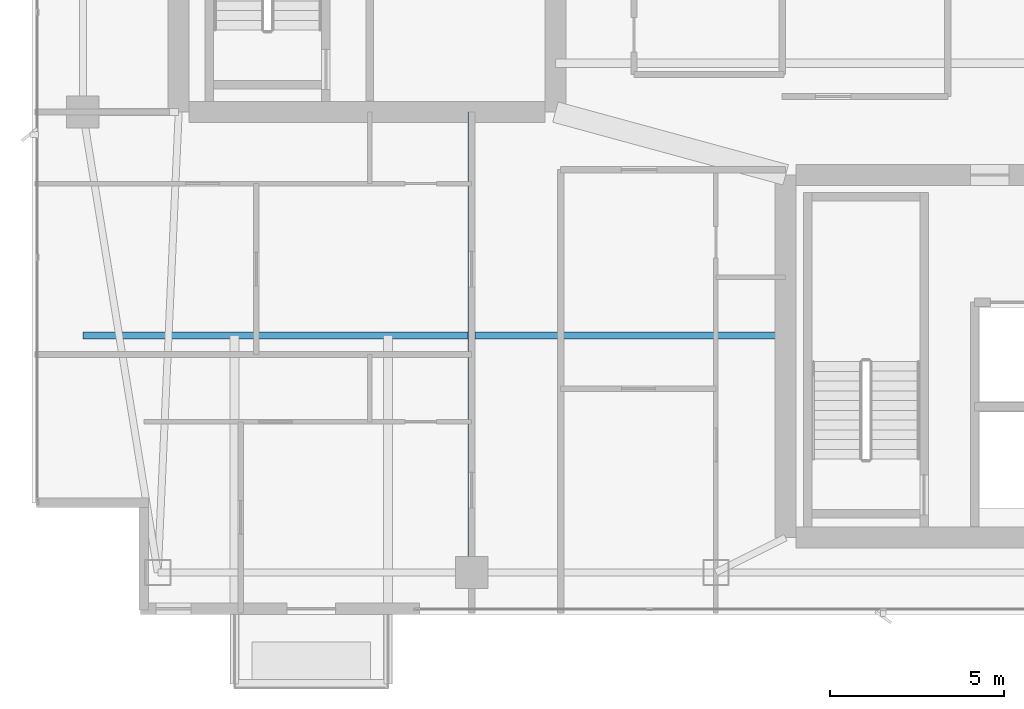
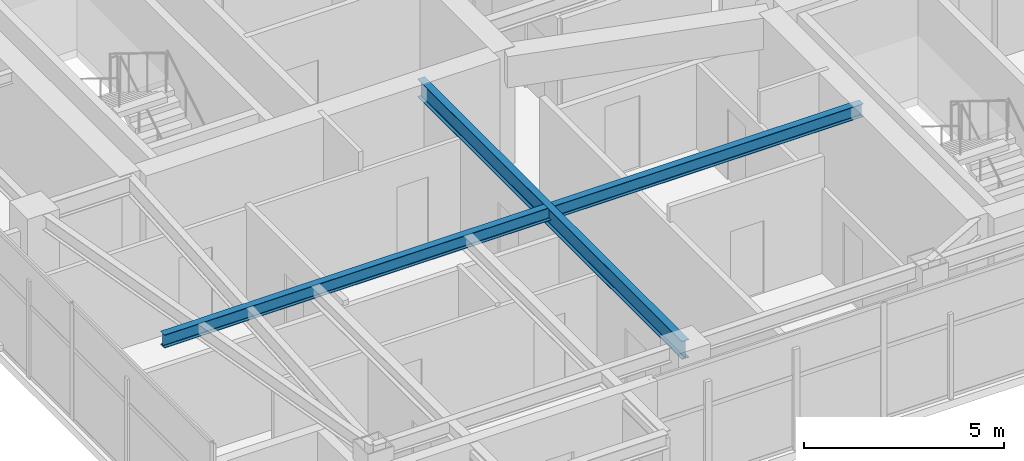
# One storey, part 6 of 27: 2 beams.
"""IFC4 building model written with IfcOpenShell, lengths in metres."""

from ifc_helpers import new_model, si_unit, direction, frame, origin, origin_2d, place, context, subcontext, project, spatial, i_section, extrude, material, material_profile, profile_set, type_object, element, save


model = new_model("IFC4")

# Units and contexts
model_context = context("Model", 3, precision=1e-05, world=origin(), true_north=direction((0.0, 1.0)))
body_context = subcontext(model_context, "Body", "Model", "MODEL_VIEW")
ifc_project = project(units=[si_unit("LENGTHUNIT", "METRE"), si_unit("AREAUNIT", "SQUARE_METRE"), si_unit("VOLUMEUNIT", "CUBIC_METRE"), si_unit("PLANEANGLEUNIT", "RADIAN"), si_unit("MASSUNIT", "GRAM", prefix="KILO")], contexts=[model_context])

# Site, building, storey
site_placement = place(None, origin())
site = spatial("IfcSite", under=ifc_project, at=site_placement, CompositionType="ELEMENT")
building_placement = place(site_placement, origin())
building = spatial("IfcBuilding", under=site, at=building_placement, Name="Calvorn Quay Hotel", CompositionType="ELEMENT")
storey_placement = place(building_placement, frame((0.0, 0.0, 294.89990234375)))
storey = spatial("IfcBuildingStorey", under=building, at=storey_placement, Name="L73", CompositionType="ELEMENT", Elevation=294.89990234375)

# Beams
ifc_material_1 = material(Name="Steel Q355B", Category="steel")
ifc_material_profile_1 = material_profile(ifc_material_1, i_section(OverallWidth=0.199951171875, OverallDepth=0.550048828125, WebThickness=0.010009765625, FlangeThickness=0.01611328125, FilletRadius=0.01806640625, at=origin_2d()), Name="HN550x200x10x16")
ifc_profile_set_1 = profile_set([ifc_material_profile_1], Name="Steel Q355B")
beam_type_1 = type_object("IfcBeamType", Name="BM-GIRD-UPP", PredefinedType="BEAM", material=ifc_profile_set_1)
beam_1_placement = place(storey_placement, frame((12.60009765625, 3.60009765625, 3.26513671875), z_axis=(0.0, 1.0, 0.0), x_axis=(-1.0, 0.0, 0.0)))
element("IfcBeam", 1, at=beam_1_placement, inside=storey, type_object=beam_type_1, Name="Beam BG-L73-S1", PredefinedType="BEAM", context=body_context, shape_type="SweptSolid", body=[
    extrude(i_section(OverallWidth=0.199951171875, OverallDepth=0.550048828125, WebThickness=0.010009765625, FlangeThickness=0.01611328125, FilletRadius=0.01806640625, at=origin_2d()), origin(), (0.0, 0.0, 1.0), 13.199951171875),
])
ifc_material_2 = material(Name="Steel Q355B", Category="steel")
ifc_material_profile_2 = material_profile(ifc_material_2, i_section(OverallWidth=0.199951171875, OverallDepth=0.39990234375, WebThickness=0.008056640625, FlangeThickness=0.012939453125, FilletRadius=0.01611328125, at=origin_2d()), Name="HN400x200x8x13")
ifc_profile_set_2 = profile_set([ifc_material_profile_2], Name="Steel Q355B")
beam_type_2 = type_object("IfcBeamType", Name="BM-JOIST-TYP", PredefinedType="JOIST", material=ifc_profile_set_2)
beam_2_placement = place(storey_placement, frame((1.449951171875, 10.39990234375, 3.340087890625), z_axis=(1.0, 0.0, 0.0), x_axis=(0.0, 1.0, 0.0)))
element("IfcBeam", 2, at=beam_2_placement, inside=storey, type_object=beam_type_2, Name="Beam BJ-L73-W1", PredefinedType="JOIST", context=body_context, shape_type="SweptSolid", body=[
    extrude(i_section(OverallWidth=0.199951171875, OverallDepth=0.39990234375, WebThickness=0.008056640625, FlangeThickness=0.012939453125, FilletRadius=0.01611328125, at=origin_2d()), origin(), (0.0, 0.0, 1.0), 20.150146484375),
])

save(model, "model.ifc")
